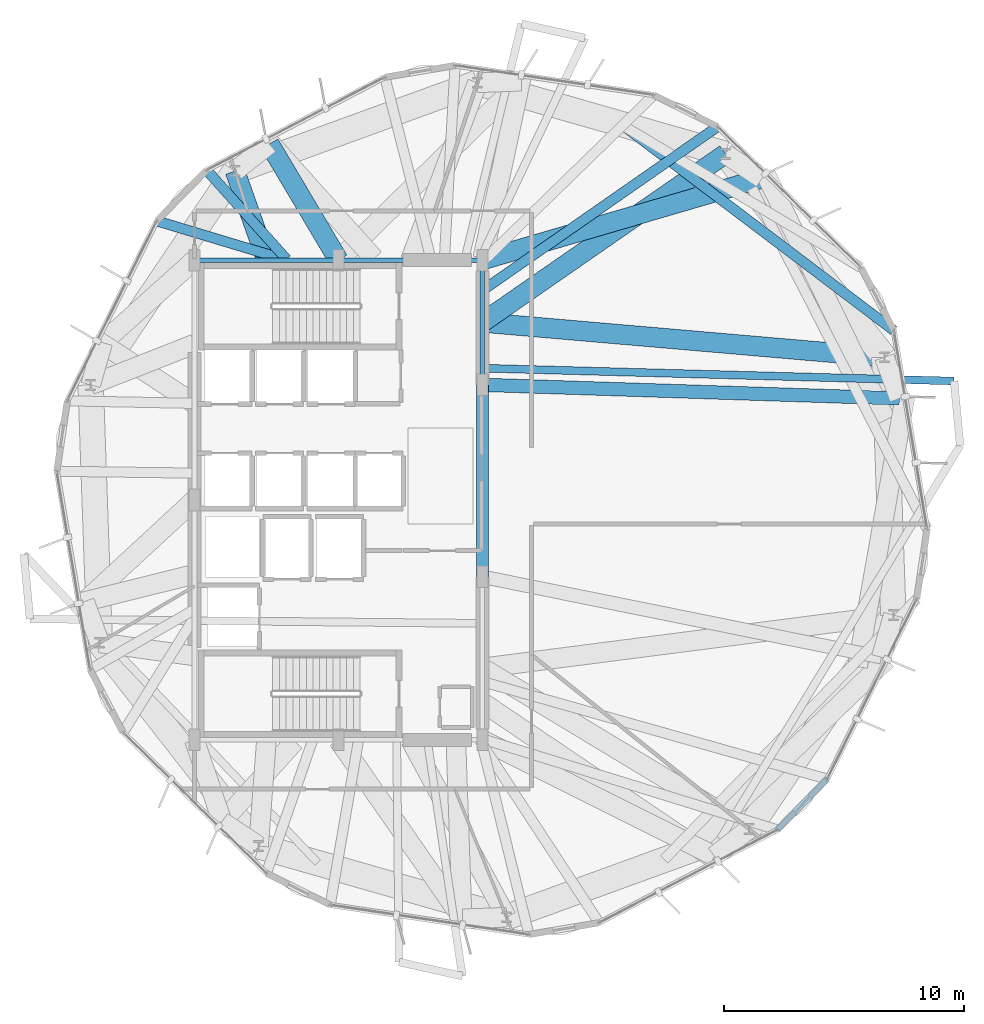
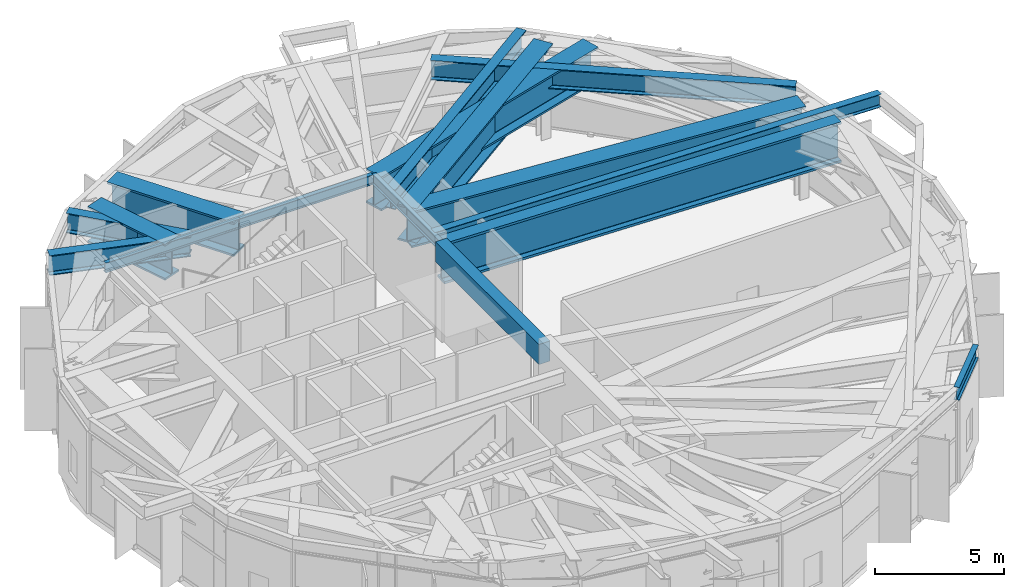
# One storey, part 11 of 27: 16 beams.
"""IFC4 building model written with IfcOpenShell, lengths in metres."""

from ifc_helpers import new_model, si_unit, direction, frame, origin, origin_2d, place, context, subcontext, project, spatial, rectangle, i_section, extrude, material, material_profile, profile_set, type_object, element, save


model = new_model("IFC4")

# Units and contexts
model_context = context("Model", 3, precision=1e-05, world=origin(), true_north=direction((0.0, 1.0)))
body_context = subcontext(model_context, "Body", "Model", "MODEL_VIEW")
ifc_project = project(units=[si_unit("LENGTHUNIT", "METRE"), si_unit("AREAUNIT", "SQUARE_METRE"), si_unit("VOLUMEUNIT", "CUBIC_METRE"), si_unit("PLANEANGLEUNIT", "RADIAN"), si_unit("MASSUNIT", "GRAM", prefix="KILO")], contexts=[model_context])

# Site, building, storey
site_placement = place(None, origin())
site = spatial("IfcSite", under=ifc_project, at=site_placement, CompositionType="ELEMENT")
building_placement = place(site_placement, origin())
building = spatial("IfcBuilding", under=site, at=building_placement, Name="Soratama Intermodal Tower", CompositionType="ELEMENT")
storey_placement = place(building_placement, frame((0.0, 0.0, 134.199951171875)))
storey = spatial("IfcBuildingStorey", under=building, at=storey_placement, Name="L32", CompositionType="ELEMENT", Elevation=134.199951171875)

# Beams
ifc_material_1 = material(Name="Structural steel ASTM A992 Grade 50", Category="steel")
ifc_material_profile_1 = material_profile(ifc_material_1, i_section(OverallWidth=0.324951171875, OverallDepth=0.615966796875, WebThickness=0.013916015625, FlangeThickness=0.021484375, FilletRadius=0.013916015625, at=origin_2d()), Name="W24X117")
ifc_profile_set_1 = profile_set([ifc_material_profile_1], Name="Structural steel ASTM A992 Grade 50")
beam_type_1 = type_object("IfcBeamType", Name="BM-CANT-W24X117", PredefinedType="BEAM", material=ifc_profile_set_1)
beam_1_placement = place(storey_placement, frame((44.639892578125, 30.492919921875, 4.192138671875), z_axis=(0.999629802932, -0.027207666007, 0.0), x_axis=(0.027207666007, 0.999629802932, 0.0)))
element("IfcBeam", 1, at=beam_1_placement, inside=storey, type_object=beam_type_1, Name="BM-L32-CANT-1-2", PredefinedType="BEAM", context=body_context, shape_type="SweptSolid", body=[
    extrude(i_section(OverallWidth=0.324951171875, OverallDepth=0.615966796875, WebThickness=0.013916015625, FlangeThickness=0.021484375, FilletRadius=0.013916015625, at=origin_2d()), origin(), (0.0, 0.0, 1.0), 19.62451171875),
])
ifc_material_2 = material(Name="Concrete f'c 56 MPa", Category="concrete")
ifc_material_profile_2 = material_profile(ifc_material_2, rectangle(XDim=0.5, YDim=0.949951171875, at=origin_2d()), Name="RC500X950")
ifc_profile_set_2 = profile_set([ifc_material_profile_2], Name="Concrete f'c 56 MPa")
beam_type_2 = type_object("IfcBeamType", Name="BM-CPL-RC500X950", PredefinedType="BEAM", material=ifc_profile_set_2)
beam_2_placement = place(storey_placement, frame((44.60009765625, 21.800048828125, 4.025146484375), z_axis=(0.0, 1.0, 0.0), x_axis=(-1.0, 0.0, 0.0)))
element("IfcBeam", 2, at=beam_2_placement, inside=storey, type_object=beam_type_2, Name="L32 Core Coupling Beam East", PredefinedType="BEAM", context=body_context, shape_type="SweptSolid", body=[
    extrude(rectangle(XDim=0.5, YDim=0.949951171875, at=origin_2d()), origin(), (0.0, 0.0, 1.0), 8.0),
])
ifc_material_3 = material(Name="Structural steel ASTM A992 Grade 50", Category="steel")
ifc_material_profile_3 = material_profile(ifc_material_3, i_section(OverallWidth=0.19091796875, OverallDepth=0.4599609375, WebThickness=0.010009765625, FlangeThickness=0.01611328125, FilletRadius=0.010986328125, at=origin_2d()), Name="W18X55")
ifc_profile_set_3 = profile_set([ifc_material_profile_3], Name="Structural steel ASTM A992 Grade 50")
beam_type_3 = type_object("IfcBeamType", Name="BM-FLR-W18X55", PredefinedType="BEAM", material=ifc_profile_set_3)
beam_3_placement = place(storey_placement, frame((44.60009765625, 29.800048828125, 4.27001953125), z_axis=(0.0, 1.0, 0.0), x_axis=(-1.0, 0.0, 0.0)))
element("IfcBeam", 3, at=beam_3_placement, inside=storey, type_object=beam_type_3, Name="BM-L32-CRING-05", PredefinedType="BEAM", context=body_context, shape_type="SweptSolid", body=[
    extrude(i_section(OverallWidth=0.19091796875, OverallDepth=0.4599609375, WebThickness=0.010009765625, FlangeThickness=0.01611328125, FilletRadius=0.010986328125, at=origin_2d()), origin(), (0.0, 0.0, 1.0), 5.199951171875),
])
for number, where, z_axis, x_axis, name in (
    (4, (44.60009765625, 35.0, 4.27001953125), (-1.0, 0.0, 0.0), (0.0, -1.0, 0.0), "BM-L32-CRING-06"),
    (5, (38.60009765625, 35.0, 4.27001953125), (-1.0, 0.0, 0.0), (0.0, -1.0, 0.0), "BM-L32-CRING-07"),
):
    element("IfcBeam", number, at=place(storey_placement, frame(where, z_axis=z_axis, x_axis=x_axis)), inside=storey, type_object=beam_type_3, Name=name, PredefinedType="BEAM", context=body_context, shape_type="SweptSolid", body=[
        extrude(i_section(OverallWidth=0.19091796875, OverallDepth=0.4599609375, WebThickness=0.010009765625, FlangeThickness=0.01611328125, FilletRadius=0.010986328125, at=origin_2d()), origin(), (0.0, 0.0, 1.0), 6.0),
    ])
ifc_material_4 = material(Name="Structural steel ASTM A992 Grade 50", Category="steel")
ifc_material_profile_4 = material_profile(ifc_material_4, i_section(OverallWidth=0.423095703125, OverallDepth=0.93896484375, WebThickness=0.02392578125, FlangeThickness=0.042724609375, FilletRadius=0.02392578125, at=origin_2d()), Name="W36X302")
ifc_profile_set_4 = profile_set([ifc_material_profile_4], Name="Structural steel ASTM A992 Grade 50")
beam_type_4 = type_object("IfcBeamType", Name="BM-POD-W36X302", PredefinedType="BEAM", material=ifc_profile_set_4)
beam_4_placement = place(storey_placement, frame((44.633056640625, 33.7548828125, 4.030517578125), z_axis=(0.820543034087, 0.571584752431, 0.0), x_axis=(-0.571584752431, 0.820543034087, 0.0)))
element("IfcBeam", 6, at=beam_4_placement, inside=storey, type_object=beam_type_4, Name="BM-L32-TIE1-01", PredefinedType="BEAM", context=body_context, shape_type="SweptSolid", body=[
    extrude(i_section(OverallWidth=0.423095703125, OverallDepth=0.93896484375, WebThickness=0.02392578125, FlangeThickness=0.042724609375, FilletRadius=0.02392578125, at=origin_2d()), origin(), (0.0, 0.0, 1.0), 11.904052734375),
])
beam_5_placement = place(storey_placement, frame((36.43994140625, 35.030029296875, 4.030517578125), z_axis=(-0.667404820473, 0.744695109161, 0.0), x_axis=(-0.744695109161, -0.667404820473, 0.0)))
element("IfcBeam", 7, at=beam_5_placement, inside=storey, type_object=beam_type_4, Name="BM-L32-TIE1-03", PredefinedType="BEAM", context=body_context, shape_type="SweptSolid", body=[
    extrude(i_section(OverallWidth=0.423095703125, OverallDepth=0.93896484375, WebThickness=0.02392578125, FlangeThickness=0.042724609375, FilletRadius=0.02392578125, at=origin_2d()), origin(), (0.0, 0.0, 1.0), 4.993896484375),
])
beam_6_placement = place(storey_placement, frame((36.402099609375, 35.011962890625, 4.030517578125), z_axis=(-0.957471125697, 0.288529103309, 0.0), x_axis=(-0.288529103309, -0.957471125697, 0.0)))
element("IfcBeam", 8, at=beam_6_placement, inside=storey, type_object=beam_type_4, Name="BM-L32-TIE0-04", PredefinedType="BEAM", context=body_context, shape_type="SweptSolid", body=[
    extrude(i_section(OverallWidth=0.423095703125, OverallDepth=0.93896484375, WebThickness=0.02392578125, FlangeThickness=0.042724609375, FilletRadius=0.02392578125, at=origin_2d()), origin(), (0.0, 0.0, 1.0), 5.61181640625),
])
beam_7_placement = place(storey_placement, frame((50.4150390625, 40.64697265625, 4.030517578125), z_axis=(0.797189301747, -0.603729423816, 0.0), x_axis=(0.603729423816, 0.797189301747, 0.0)))
element("IfcBeam", 9, at=beam_7_placement, inside=storey, type_object=beam_type_4, Name="BM-L32-TIE1-10", PredefinedType="BEAM", context=body_context, shape_type="SweptSolid", body=[
    extrude(i_section(OverallWidth=0.423095703125, OverallDepth=0.93896484375, WebThickness=0.02392578125, FlangeThickness=0.042724609375, FilletRadius=0.02392578125, at=origin_2d()), origin(), (0.0, 0.0, 1.0), 14.219970703125),
])
ifc_material_5 = material(Name="Structural steel ASTM A992 Grade 50", Category="steel")
ifc_material_profile_5 = material_profile(ifc_material_5, i_section(OverallWidth=0.22900390625, OverallDepth=0.612060546875, WebThickness=0.011962890625, FlangeThickness=0.01953125, FilletRadius=0.012939453125, at=origin_2d()), Name="W24X84")
ifc_profile_set_5 = profile_set([ifc_material_profile_5], Name="Structural steel ASTM A992 Grade 50")
beam_type_5 = type_object("IfcBeamType", Name="BM-SPN-W24X84", PredefinedType="SPANDREL", material=ifc_profile_set_5)
beam_8_placement = place(storey_placement, frame((56.89306640625, 11.2509765625, 4.194091796875), z_axis=(0.700327222019, 0.713821954061, 0.0), x_axis=(-0.713821954061, 0.700327222019, 0.0)))
element("IfcBeam", 10, at=beam_8_placement, inside=storey, type_object=beam_type_5, Name="BS-L32-CRN08", PredefinedType="SPANDREL", context=body_context, shape_type="SweptSolid", body=[
    extrude(i_section(OverallWidth=0.22900390625, OverallDepth=0.612060546875, WebThickness=0.011962890625, FlangeThickness=0.01953125, FilletRadius=0.012939453125, at=origin_2d()), origin(), (0.0, 0.0, 1.0), 2.967041015625),
])
ifc_material_6 = material(Name="Structural steel ASTM A992 Grade 50", Category="steel")
ifc_material_profile_6 = material_profile(ifc_material_6, i_section(OverallWidth=0.56005859375, OverallDepth=1.919921875, WebThickness=0.05810546875, FlangeThickness=0.110107421875, FilletRadius=0.02392578125, at=origin_2d()), Name="PG2150X720")
ifc_profile_set_6 = profile_set([ifc_material_profile_6], Name="Structural steel ASTM A992 Grade 50")
beam_type_6 = type_object("IfcBeamType", Name="BM-ZSTEP-LONG", PredefinedType="BEAM", material=ifc_profile_set_6)
beam_9_placement = place(storey_placement, frame((61.97998046875, 29.23388671875, 3.5400390625), z_axis=(-0.999469833309, 0.032558444449, 0.0), x_axis=(-0.032558444449, -0.999469833309, 0.0)))
element("IfcBeam", 11, at=beam_9_placement, inside=storey, type_object=beam_type_6, Name="BM-L32-ZSTEP-B01", PredefinedType="BEAM", context=body_context, shape_type="SweptSolid", body=[
    extrude(i_section(OverallWidth=0.56005859375, OverallDepth=1.919921875, WebThickness=0.05810546875, FlangeThickness=0.110107421875, FilletRadius=0.02392578125, at=origin_2d()), origin(), (0.0, 0.0, 1.0), 17.38916015625),
])
ifc_material_7 = material(Name="Structural steel ASTM A992 Grade 50", Category="steel")
ifc_material_profile_7 = material_profile(ifc_material_7, i_section(OverallWidth=0.820068359375, OverallDepth=1.699951171875, WebThickness=0.053955078125, FlangeThickness=0.087890625, FilletRadius=0.02392578125, at=origin_2d()), Name="PG1580X800")
ifc_profile_set_7 = profile_set([ifc_material_profile_7], Name="Structural steel ASTM A992 Grade 50")
beam_type_7 = type_object("IfcBeamType", Name="BM-ZSTEP-PG1580", PredefinedType="BEAM", material=ifc_profile_set_7)
beam_10_placement = place(storey_placement, frame((44.60009765625, 32.39990234375, 3.650146484375), z_axis=(0.996279661678, -0.086179091005, 0.0), x_axis=(0.086179091005, 0.996279661678, 0.0)))
element("IfcBeam", 12, at=beam_10_placement, inside=storey, type_object=beam_type_7, Name="BM-L32-RAD-01", PredefinedType="BEAM", context=body_context, shape_type="SweptSolid", body=[
    extrude(i_section(OverallWidth=0.820068359375, OverallDepth=1.699951171875, WebThickness=0.053955078125, FlangeThickness=0.087890625, FilletRadius=0.02392578125, at=origin_2d()), origin(), (0.0, 0.0, 1.0), 16.8134765625),
])
beam_11_placement = place(storey_placement, frame((44.60009765625, 32.39990234375, 3.650146484375), z_axis=(0.821730633941, 0.569876096396, 0.0), x_axis=(-0.569876096396, 0.821730633941, 0.0)))
element("IfcBeam", 13, at=beam_11_placement, inside=storey, type_object=beam_type_7, Name="BM-L32-RAD-02", PredefinedType="BEAM", context=body_context, shape_type="SweptSolid", body=[
    extrude(i_section(OverallWidth=0.820068359375, OverallDepth=1.699951171875, WebThickness=0.053955078125, FlangeThickness=0.087890625, FilletRadius=0.02392578125, at=origin_2d()), origin(), (0.0, 0.0, 1.0), 12.327392578125),
])
beam_12_placement = place(storey_placement, frame((35.60009765625, 35.0, 3.650146484375), z_axis=(-0.333332697239, 0.942809266475, 0.0), x_axis=(-0.942809266475, -0.333332697239, 0.0)))
element("IfcBeam", 14, at=beam_12_placement, inside=storey, type_object=beam_type_7, Name="BM-L32-RAD-04", PredefinedType="BEAM", context=body_context, shape_type="SweptSolid", body=[
    extrude(i_section(OverallWidth=0.820068359375, OverallDepth=1.699951171875, WebThickness=0.053955078125, FlangeThickness=0.087890625, FilletRadius=0.02392578125, at=origin_2d()), origin(), (0.0, 0.0, 1.0), 3.93603515625),
])
ifc_material_8 = material(Name="Structural steel ASTM A992 Grade 50", Category="steel")
ifc_material_profile_8 = material_profile(ifc_material_8, i_section(OverallWidth=0.820068359375, OverallDepth=1.60205078125, WebThickness=0.055908203125, FlangeThickness=0.092041015625, FilletRadius=0.02392578125, at=origin_2d()), Name="PG1600X650")
ifc_profile_set_8 = profile_set([ifc_material_profile_8], Name="Structural steel ASTM A992 Grade 50")
beam_type_8 = type_object("IfcBeamType", Name="BM-ZSTEP-PG1600", PredefinedType="BEAM", material=ifc_profile_set_8)
beam_13_placement = place(storey_placement, frame((56.2490234375, 38.406005859375, 3.698974609375), z_axis=(-0.959813691047, -0.280637984738, 0.0), x_axis=(0.280637984738, -0.959813691047, 0.0)))
element("IfcBeam", 15, at=beam_13_placement, inside=storey, type_object=beam_type_8, Name="BM-L32-ZSTEP-B02", PredefinedType="BEAM", context=body_context, shape_type="SweptSolid", body=[
    extrude(i_section(OverallWidth=0.820068359375, OverallDepth=1.60205078125, WebThickness=0.055908203125, FlangeThickness=0.092041015625, FilletRadius=0.02392578125, at=origin_2d()), origin(), (0.0, 0.0, 1.0), 12.13671875),
])
beam_14_placement = place(storey_placement, frame((35.72607421875, 39.841064453125, 3.698974609375), z_axis=(0.510491662547, -0.859882702739, 0.0), x_axis=(0.859882702739, 0.510491662547, 0.0)))
element("IfcBeam", 16, at=beam_14_placement, inside=storey, type_object=beam_type_8, Name="BM-L32-ZSTEP-B04", PredefinedType="BEAM", context=body_context, shape_type="SweptSolid", body=[
    extrude(i_section(OverallWidth=0.820068359375, OverallDepth=1.60205078125, WebThickness=0.055908203125, FlangeThickness=0.092041015625, FilletRadius=0.02392578125, at=origin_2d()), origin(), (0.0, 0.0, 1.0), 5.6298828125),
])

save(model, "model.ifc")
